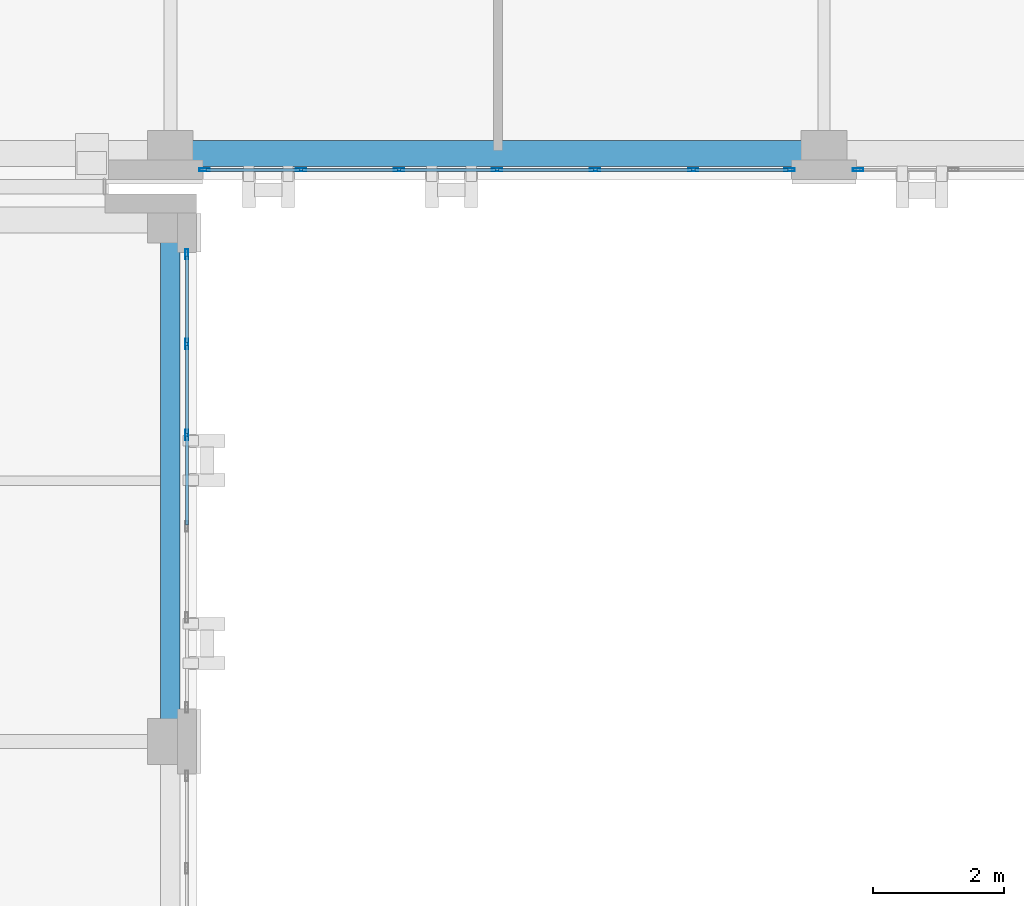
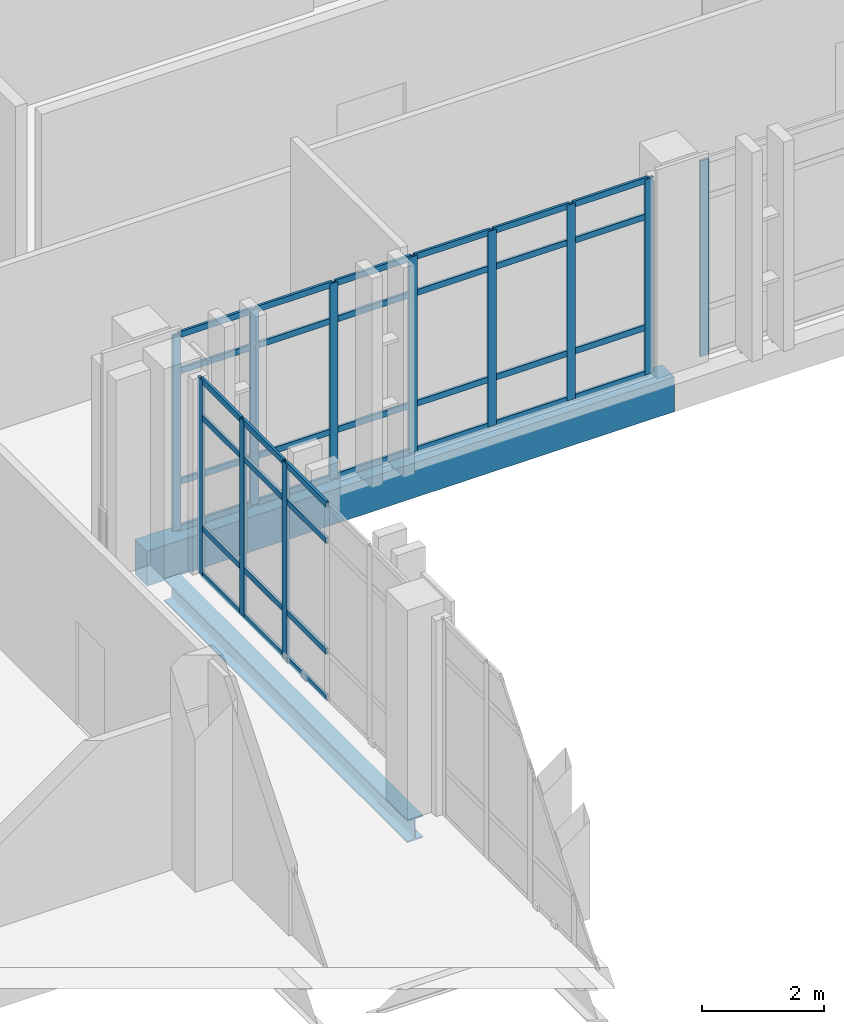
# One storey, part 80 of 165: 47 members, 2 beams, 3 elements without a shape of their own.
"""IFC4 building model written with IfcOpenShell, lengths in metres."""

import ifcopenshell
import ifcopenshell.guid

model = None  # the IFC model being written
_history = None  # IfcOwnerHistory: only IFC2X3 demands one
_inside = {}  # id of a spatial element -> (the spatial element, [elements in it])
_under = {}  # id of a project, library or spatial element -> (it, [spatial elements below it])
_declared = {}  # id of a project -> (the project, [libraries it declares])
_typed = {}  # id of a type object -> (the type object, [elements of that type])
_made_of = {}  # id of a material, layer set ... -> (it, [elements and type objects made of it])


def new_model(schema):
    """Start an empty IFC model of exactly this schema.

    Asked for "IFC4X3", IfcOpenShell would pick the latest addendum, in which some entities
    have other attributes; the version numbers below select the first issue.
    IFC2X3 requires an IfcOwnerHistory on every rooted entity: one is made here for all.
    """
    global model, _history
    if schema == "IFC4X3":
        model = ifcopenshell.file(schema_version=(4, 3, 0, 0))
    else:
        model = ifcopenshell.file(schema=schema)
    _inside.clear()
    _under.clear()
    _declared.clear()
    _typed.clear()
    _made_of.clear()
    _history = None
    if model.schema == "IFC2X3":
        org = make("IfcOrganization", Name="unknown")
        user = make(
            "IfcPersonAndOrganization",
            ThePerson=make("IfcPerson", FamilyName="unknown"),
            TheOrganization=org,
        )
        app = make(
            "IfcApplication",
            ApplicationDeveloper=org,
            Version="unknown",
            ApplicationFullName="unknown",
            ApplicationIdentifier="unknown",
        )
        _history = make(
            "IfcOwnerHistory",
            OwningUser=user,
            OwningApplication=app,
            ChangeAction="ADDED",
            CreationDate=0,
        )
    return model


def make(cls, **values):
    """One entity of the class cls with the attributes given. An attribute that is None is left unset."""
    return model.create_entity(
        cls, **{name: value for name, value in values.items() if value is not None}
    )


def rooted(cls, **values):
    """An entity with a GlobalId (a new one), such as an element, a storey or a relation."""
    return make(cls, GlobalId=ifcopenshell.guid.new(), OwnerHistory=_history, **values)


def si_unit(unit_type, name, prefix=None):
    """IfcSIUnit, for example si_unit("LENGTHUNIT", "METRE", prefix="MILLI")."""
    return make("IfcSIUnit", UnitType=unit_type, Prefix=prefix, Name=name)


def assignment(units):
    """IfcUnitAssignment: the units of a project."""
    return None if units is None else make("IfcUnitAssignment", Units=units)


def point(xyz):
    """IfcCartesianPoint."""
    return None if xyz is None else make("IfcCartesianPoint", Coordinates=xyz)


def direction(xyz):
    """IfcDirection."""
    return None if xyz is None else make("IfcDirection", DirectionRatios=xyz)


def frame(location, z_axis=None, x_axis=None):
    """IfcAxis2Placement3D, a coordinate frame: its origin and axes. An axis left out is left unset."""
    return make(
        "IfcAxis2Placement3D",
        Location=point(location),
        Axis=direction(z_axis),
        RefDirection=direction(x_axis),
    )


def frame_2d(location, x_axis=None):
    """IfcAxis2Placement2D, a coordinate frame in the plane: its origin and x axis."""
    return make(
        "IfcAxis2Placement2D", Location=point(location), RefDirection=direction(x_axis)
    )


def origin():
    """The frame at (0, 0, 0) with its axes left unset."""
    return frame((0.0, 0.0, 0.0))


def origin_2d():
    """The frame at (0, 0) in the plane with its x axis left unset."""
    return frame_2d((0.0, 0.0))


def place(relative_to, where):
    """IfcLocalPlacement: puts the frame where relative to a parent placement (None: the world)."""
    return make(
        "IfcLocalPlacement", PlacementRelTo=relative_to, RelativePlacement=where
    )


def context(
    kind, dimensions, precision=None, world=None, true_north=None, identifier=None
):
    """IfcGeometricRepresentationContext, for example the 3D "Model" context."""
    return make(
        "IfcGeometricRepresentationContext",
        ContextIdentifier=identifier,
        ContextType=kind,
        CoordinateSpaceDimension=dimensions,
        Precision=precision,
        WorldCoordinateSystem=world,
        TrueNorth=true_north,
    )


def subcontext(parent, identifier, kind, view, scale=None):
    """IfcGeometricRepresentationSubContext, for example "Body" below "Model"."""
    return make(
        "IfcGeometricRepresentationSubContext",
        ContextIdentifier=identifier,
        ContextType=kind,
        ParentContext=parent,
        TargetScale=scale,
        TargetView=view,
    )


def project(units=None, contexts=None):
    """IfcProject with its units and contexts."""
    return rooted(
        "IfcProject",
        Name="project",
        RepresentationContexts=contexts,
        UnitsInContext=assignment(units),
    )


def spatial(cls, under=None, at=None, **own):
    """A site, building, storey or space (cls), placed at a placement, below another one or the project."""
    s = rooted(cls, ObjectPlacement=at, **own)
    if under is not None:
        _under.setdefault(under.id(), (under, []))[1].append(s)
    return s


def profile(cls, at=None, kind="AREA", **sizes):
    """A parametric profile (cls). Its sizes go by their IFC names, for example OverallWidth=200.0."""
    return make(cls, ProfileType=kind, Position=at, **sizes)


def rectangle(**sizes):
    """IfcRectangleProfileDef."""
    return profile("IfcRectangleProfileDef", **sizes)


def hollow_rectangle(**sizes):
    """IfcRectangleHollowProfileDef."""
    return profile("IfcRectangleHollowProfileDef", **sizes)


def i_section(**sizes):
    """IfcIShapeProfileDef."""
    return profile("IfcIShapeProfileDef", **sizes)


def extrude(swept, where, along, depth):
    """IfcExtrudedAreaSolid: the profile swept, set in the frame where, extruded along a direction by depth."""
    return make(
        "IfcExtrudedAreaSolid",
        SweptArea=swept,
        Position=where,
        ExtrudedDirection=direction(along),
        Depth=depth,
    )


def shape(context_of_items, identifier, shape_type, items):
    """IfcShapeRepresentation: the items that make up one representation, for example the "Body"."""
    return make(
        "IfcShapeRepresentation",
        ContextOfItems=context_of_items,
        RepresentationIdentifier=identifier,
        RepresentationType=shape_type,
        Items=items,
    )


def material(Name=None, Category=None):
    """IfcMaterial."""
    return make("IfcMaterial", Name=Name, Category=Category)


def layer(
    of_material, thickness, ventilated=None, Name=None, Category=None, Priority=None
):
    """IfcMaterialLayer: one layer of a wall or slab, of a material (None: an air gap)."""
    return make(
        "IfcMaterialLayer",
        Material=of_material,
        LayerThickness=thickness,
        IsVentilated=ventilated,
        Name=Name,
        Category=Category,
        Priority=Priority,
    )


def layer_set(layers, Name=None):
    """IfcMaterialLayerSet."""
    return make("IfcMaterialLayerSet", MaterialLayers=layers, LayerSetName=Name)


def material_profile(
    of_material, cross_section, Name=None, Category=None, Priority=None
):
    """IfcMaterialProfile: a cross section and its material."""
    return make(
        "IfcMaterialProfile",
        Name=Name,
        Material=of_material,
        Profile=cross_section,
        Priority=Priority,
        Category=Category,
    )


def profile_set(profiles, Name=None, composite=None):
    """IfcMaterialProfileSet."""
    return make(
        "IfcMaterialProfileSet",
        Name=Name,
        MaterialProfiles=profiles,
        CompositeProfile=composite,
    )


def made_of(thing, what):
    """Note that an element or type object is made of a material, layer set ...; save() writes the relation."""
    if what is not None:
        _made_of.setdefault(what.id(), (what, []))[1].append(thing)
    return thing


def type_object(cls, material=None, **own):
    """A type object (cls), such as IfcWallType, which elements share."""
    return made_of(rooted(cls, **own), material)


def element(
    cls,
    number,
    at=None,
    inside=None,
    cuts=None,
    type_object=None,
    material=None,
    context=None,
    identifier="Body",
    shape_type=None,
    held_by="IfcProductDefinitionShape",
    body=None,
    shapes=None,
    **own,
):
    """One element of the class cls, such as IfcWall. Its Tag is "e" and its number.

    at: its placement. inside: the storey or other place that contains it. cuts: it is an
    opening in that element (IfcRelVoidsElement). A single representation is given by context,
    identifier, shape_type and body (its items); several are given by shapes. held_by: the class
    of the entity that holds the representations. save() writes the other relations.
    """
    e = rooted(cls, Tag="e%d" % number, ObjectPlacement=at, **own)
    if body is not None:
        shapes = [shape(context, identifier, shape_type, body)]
    if shapes is not None:
        e.Representation = make(held_by, Representations=shapes)
    if inside is not None:
        _inside.setdefault(inside.id(), (inside, []))[1].append(e)
    if cuts is not None:
        rooted(
            "IfcRelVoidsElement", RelatingBuildingElement=cuts, RelatedOpeningElement=e
        )
    if type_object is not None:
        _typed.setdefault(type_object.id(), (type_object, []))[1].append(e)
    return made_of(e, material)


def aggregate(whole, parts):
    """IfcRelAggregates: a whole, such as a stair, and the parts it consists of."""
    return rooted("IfcRelAggregates", RelatingObject=whole, RelatedObjects=parts)


def save(model, path):
    """Write the relations noted so far, then the file.

    IfcRelAggregates (storeys below a building ...), IfcRelContainedInSpatialStructure (elements
    in a storey), IfcRelDefinesByType, IfcRelAssociatesMaterial and IfcRelDeclares: one each for
    every whole, place, type object, material and project.
    """
    for whole, parts in _under.values():
        aggregate(whole, parts)
    for where, things in _inside.values():
        rooted(
            "IfcRelContainedInSpatialStructure",
            RelatedElements=things,
            RelatingStructure=where,
        )
    for kind, things in _typed.values():
        rooted("IfcRelDefinesByType", RelatedObjects=things, RelatingType=kind)
    for what, things in _made_of.values():
        rooted("IfcRelAssociatesMaterial", RelatedObjects=things, RelatingMaterial=what)
    for by, libraries in _declared.values():
        rooted("IfcRelDeclares", RelatingContext=by, RelatedDefinitions=libraries)
    model.write(path)


model = new_model("IFC4")

# Units and contexts
model_context = context("Model", 3, precision=1e-05, world=origin(), true_north=direction((0.0, 1.0)))
body_context = subcontext(model_context, "Body", "Model", "MODEL_VIEW")
ifc_project = project(units=[si_unit("LENGTHUNIT", "METRE"), si_unit("AREAUNIT", "SQUARE_METRE"), si_unit("VOLUMEUNIT", "CUBIC_METRE"), si_unit("PLANEANGLEUNIT", "RADIAN"), si_unit("MASSUNIT", "GRAM", prefix="KILO")], contexts=[model_context])

# Site, building, storey
site_placement = place(None, origin())
site = spatial("IfcSite", under=ifc_project, at=site_placement, CompositionType="ELEMENT")
building_placement = place(site_placement, origin())
building = spatial("IfcBuilding", under=site, at=building_placement, Name="Qalavern Law Courts", CompositionType="ELEMENT")
storey_placement = place(building_placement, frame((0.0, 0.0, 14.39990234375)))
storey = spatial("IfcBuildingStorey", under=building, at=storey_placement, Name="L03", CompositionType="ELEMENT", Elevation=14.39990234375)

# Curtain wall, members
ifc_material_1 = material(Name="Anodised aluminium and insulated glazing", Category="aluminium")
ifc_layer_1 = layer(ifc_material_1, 0.172119140625)
ifc_layer_set_1 = layer_set([ifc_layer_1], Name="Anodised aluminium and insulated glazing")
curtain_wall_type_1 = type_object("IfcCurtainWallType", Name="ENV-CW-COURT", PredefinedType="USERDEFINED", material=ifc_layer_set_1)
curtain_wall_1_placement = place(storey_placement, origin())
curtain_wall_1 = element("IfcCurtainWall", 1, at=curtain_wall_1_placement, inside=storey, type_object=curtain_wall_type_1, Name="V3 unitised curtain wall L03 east 7", ObjectType="UNITISED CURTAIN WALL", PredefinedType="USERDEFINED")
ifc_material_2 = material(Name="Anodised aluminium", Category="aluminium")
ifc_material_profile_1 = material_profile(ifc_material_2, hollow_rectangle(XDim=0.048095703125, YDim=0.159912109375, WallThickness=0.00390625, at=origin_2d()), Name="ALU MULLION 48x160")
ifc_profile_set_1 = profile_set([ifc_material_profile_1], Name="Anodised aluminium")
member_type_1 = type_object("IfcMemberType", Name="ENV-CWM-48x160", PredefinedType="MULLION", material=ifc_profile_set_1)
member_1_placement = place(storey_placement, frame((18.652587890625, 92.2880859375, 0.0), z_axis=(0.0, 0.0, 1.0), x_axis=(-1.0, 0.0, 0.0)))
member_1 = element("IfcMember", 2, at=member_1_placement, type_object=member_type_1, Name="CW-03 mullion 4", PredefinedType="MULLION", context=body_context, shape_type="SweptSolid", body=[
    extrude(hollow_rectangle(XDim=0.048095703125, YDim=0.159912109375, WallThickness=0.00390625, at=origin_2d()), origin(), (0.0, 0.0, 1.0), 3.920166015625),
])
member_2_placement = place(storey_placement, frame((18.652587890625, 93.68408203125, 0.0), z_axis=(0.0, 0.0, 1.0), x_axis=(-1.0, 0.0, 0.0)))
member_2 = element("IfcMember", 3, at=member_2_placement, type_object=member_type_1, Name="CW-03 mullion 5", PredefinedType="MULLION", context=body_context, shape_type="SweptSolid", body=[
    extrude(hollow_rectangle(XDim=0.048095703125, YDim=0.159912109375, WallThickness=0.00390625, at=origin_2d()), origin(), (0.0, 0.0, 1.0), 3.920166015625),
])
member_3_placement = place(storey_placement, frame((18.652587890625, 95.055908203125, 0.0), z_axis=(0.0, 0.0, 1.0), x_axis=(-1.0, 0.0, 0.0)))
member_3 = element("IfcMember", 4, at=member_3_placement, type_object=member_type_1, Name="CW-03 mullion 6", PredefinedType="MULLION", context=body_context, shape_type="SweptSolid", body=[
    extrude(hollow_rectangle(XDim=0.048095703125, YDim=0.159912109375, WallThickness=0.00390625, at=origin_2d()), origin(), (0.0, 0.0, 1.0), 3.920166015625),
])

ifc_layer_2 = layer(ifc_material_1, 0.166015625)
ifc_layer_set_2 = layer_set([ifc_layer_2], Name="Anodised aluminium and insulated glazing")
curtain_wall_type_2 = type_object("IfcCurtainWallType", Name="ENV-CW-LIB", PredefinedType="USERDEFINED", material=ifc_layer_set_2)
curtain_wall_2_placement = place(storey_placement, origin())
curtain_wall_2 = element("IfcCurtainWall", 5, at=curtain_wall_2_placement, inside=storey, type_object=curtain_wall_type_2, Name="V5 unitised curtain wall L03 south 1", ObjectType="UNITISED CURTAIN WALL", PredefinedType="USERDEFINED")
member_4_placement = place(storey_placement, frame((18.924072265625, 96.347412109375, 0.0), z_axis=(0.0, 0.0, 1.0), x_axis=(0.0, 1.0, 0.0)))
member_4 = element("IfcMember", 6, at=member_4_placement, type_object=member_type_1, Name="CW-05 mullion 1", PredefinedType="MULLION", context=body_context, shape_type="SweptSolid", body=[
    extrude(hollow_rectangle(XDim=0.048095703125, YDim=0.159912109375, WallThickness=0.00390625, at=origin_2d()), origin(), (0.0, 0.0, 1.0), 3.920166015625),
])
member_5_placement = place(storey_placement, frame((20.39990234375, 96.347412109375, 0.0), z_axis=(0.0, 0.0, 1.0), x_axis=(0.0, 1.0, 0.0)))
member_5 = element("IfcMember", 7, at=member_5_placement, type_object=member_type_1, Name="CW-05 mullion 2", PredefinedType="MULLION", context=body_context, shape_type="SweptSolid", body=[
    extrude(hollow_rectangle(XDim=0.048095703125, YDim=0.159912109375, WallThickness=0.00390625, at=origin_2d()), origin(), (0.0, 0.0, 1.0), 3.920166015625),
])
member_6_placement = place(storey_placement, frame((21.89990234375, 96.347412109375, 0.0), z_axis=(0.0, 0.0, 1.0), x_axis=(0.0, 1.0, 0.0)))
member_6 = element("IfcMember", 8, at=member_6_placement, type_object=member_type_1, Name="CW-05 mullion 3", PredefinedType="MULLION", context=body_context, shape_type="SweptSolid", body=[
    extrude(hollow_rectangle(XDim=0.048095703125, YDim=0.159912109375, WallThickness=0.00390625, at=origin_2d()), origin(), (0.0, 0.0, 1.0), 3.920166015625),
])
member_7_placement = place(storey_placement, frame((23.39990234375, 96.347412109375, 0.0), z_axis=(0.0, 0.0, 1.0), x_axis=(0.0, 1.0, 0.0)))
member_7 = element("IfcMember", 9, at=member_7_placement, type_object=member_type_1, Name="CW-05 mullion 4", PredefinedType="MULLION", context=body_context, shape_type="SweptSolid", body=[
    extrude(hollow_rectangle(XDim=0.048095703125, YDim=0.159912109375, WallThickness=0.00390625, at=origin_2d()), origin(), (0.0, 0.0, 1.0), 3.920166015625),
])
member_8_placement = place(storey_placement, frame((24.89990234375, 96.347412109375, 0.0), z_axis=(0.0, 0.0, 1.0), x_axis=(0.0, 1.0, 0.0)))
member_8 = element("IfcMember", 10, at=member_8_placement, type_object=member_type_1, Name="CW-05 mullion 5", PredefinedType="MULLION", context=body_context, shape_type="SweptSolid", body=[
    extrude(hollow_rectangle(XDim=0.048095703125, YDim=0.159912109375, WallThickness=0.00390625, at=origin_2d()), origin(), (0.0, 0.0, 1.0), 3.920166015625),
])
member_9_placement = place(storey_placement, frame((26.39990234375, 96.347412109375, 0.0), z_axis=(0.0, 0.0, 1.0), x_axis=(0.0, 1.0, 0.0)))
member_9 = element("IfcMember", 11, at=member_9_placement, type_object=member_type_1, Name="CW-05 mullion 6", PredefinedType="MULLION", context=body_context, shape_type="SweptSolid", body=[
    extrude(hollow_rectangle(XDim=0.048095703125, YDim=0.159912109375, WallThickness=0.00390625, at=origin_2d()), origin(), (0.0, 0.0, 1.0), 3.920166015625),
])
member_10_placement = place(storey_placement, frame((27.8759765625, 96.347412109375, 0.0), z_axis=(0.0, 0.0, 1.0), x_axis=(0.0, 1.0, 0.0)))
member_10 = element("IfcMember", 12, at=member_10_placement, type_object=member_type_1, Name="CW-05 mullion 7", PredefinedType="MULLION", context=body_context, shape_type="SweptSolid", body=[
    extrude(hollow_rectangle(XDim=0.048095703125, YDim=0.159912109375, WallThickness=0.00390625, at=origin_2d()), origin(), (0.0, 0.0, 1.0), 3.920166015625),
])

# Curtain wall, member
curtain_wall_3_placement = place(storey_placement, origin())
curtain_wall_3 = element("IfcCurtainWall", 13, at=curtain_wall_3_placement, inside=storey, type_object=curtain_wall_type_2, Name="V5 unitised curtain wall L03 south 2", ObjectType="UNITISED CURTAIN WALL", PredefinedType="USERDEFINED")
member_11_placement = place(storey_placement, frame((28.924072265625, 96.347412109375, 0.0), z_axis=(0.0, 0.0, 1.0), x_axis=(0.0, 1.0, 0.0)))
member_11 = element("IfcMember", 14, at=member_11_placement, type_object=member_type_1, Name="CW-05 mullion 1", PredefinedType="MULLION", context=body_context, shape_type="SweptSolid", body=[
    extrude(hollow_rectangle(XDim=0.048095703125, YDim=0.159912109375, WallThickness=0.00390625, at=origin_2d()), origin(), (0.0, 0.0, 1.0), 3.920166015625),
])
aggregate(curtain_wall_3, [member_11])

# Member
ifc_material_profile_2 = material_profile(ifc_material_2, hollow_rectangle(XDim=0.048095703125, YDim=0.1201171875, WallThickness=0.00390625, at=origin_2d()), Name="ALU TRANSOM 48x120")
ifc_profile_set_2 = profile_set([ifc_material_profile_2], Name="Anodised aluminium")
member_type_2 = type_object("IfcMemberType", Name="ENV-CWT-48x120", PredefinedType="USERDEFINED", material=ifc_profile_set_2)
member_12_placement = place(storey_placement, frame((18.652587890625, 90.916015625, 0.024169921875), z_axis=(0.0, 1.0, 0.0), x_axis=(-1.0, 0.0, 0.0)))
member_12 = element("IfcMember", 15, at=member_12_placement, type_object=member_type_2, Name="CW-03 transom 3.1", ObjectType="TRANSOM", PredefinedType="USERDEFINED", context=body_context, shape_type="SweptSolid", body=[
    extrude(hollow_rectangle(XDim=0.048095703125, YDim=0.1201171875, WallThickness=0.00390625, at=origin_2d()), origin(), (0.0, 0.0, 1.0), 1.347900390625),
])

member_13_placement = place(storey_placement, frame((18.652587890625, 90.916015625, 0.9501953125), z_axis=(0.0, 1.0, 0.0), x_axis=(-1.0, 0.0, 0.0)))
member_13 = element("IfcMember", 16, at=member_13_placement, type_object=member_type_2, Name="CW-03 transom 3.2", ObjectType="TRANSOM", PredefinedType="USERDEFINED", context=body_context, shape_type="SweptSolid", body=[
    extrude(hollow_rectangle(XDim=0.048095703125, YDim=0.1201171875, WallThickness=0.00390625, at=origin_2d()), origin(), (0.0, 0.0, 1.0), 1.347900390625),
])

member_14_placement = place(storey_placement, frame((18.652587890625, 90.916015625, 3.170166015625), z_axis=(0.0, 1.0, 0.0), x_axis=(-1.0, 0.0, 0.0)))
member_14 = element("IfcMember", 17, at=member_14_placement, type_object=member_type_2, Name="CW-03 transom 3.3", ObjectType="TRANSOM", PredefinedType="USERDEFINED", context=body_context, shape_type="SweptSolid", body=[
    extrude(hollow_rectangle(XDim=0.048095703125, YDim=0.1201171875, WallThickness=0.00390625, at=origin_2d()), origin(), (0.0, 0.0, 1.0), 1.347900390625),
])

member_15_placement = place(storey_placement, frame((18.652587890625, 90.916015625, 3.89599609375), z_axis=(0.0, 1.0, 0.0), x_axis=(-1.0, 0.0, 0.0)))
member_15 = element("IfcMember", 18, at=member_15_placement, type_object=member_type_2, Name="CW-03 transom 3.4", ObjectType="TRANSOM", PredefinedType="USERDEFINED", context=body_context, shape_type="SweptSolid", body=[
    extrude(hollow_rectangle(XDim=0.048095703125, YDim=0.1201171875, WallThickness=0.00390625, at=origin_2d()), origin(), (0.0, 0.0, 1.0), 1.347900390625),
])

member_16_placement = place(storey_placement, frame((18.652587890625, 92.31201171875, 0.024169921875), z_axis=(0.0, 1.0, 0.0), x_axis=(-1.0, 0.0, 0.0)))
member_16 = element("IfcMember", 19, at=member_16_placement, type_object=member_type_2, Name="CW-03 transom 4.1", ObjectType="TRANSOM", PredefinedType="USERDEFINED", context=body_context, shape_type="SweptSolid", body=[
    extrude(hollow_rectangle(XDim=0.048095703125, YDim=0.1201171875, WallThickness=0.00390625, at=origin_2d()), origin(), (0.0, 0.0, 1.0), 1.347900390625),
])

member_17_placement = place(storey_placement, frame((18.652587890625, 92.31201171875, 0.9501953125), z_axis=(0.0, 1.0, 0.0), x_axis=(-1.0, 0.0, 0.0)))
member_17 = element("IfcMember", 20, at=member_17_placement, type_object=member_type_2, Name="CW-03 transom 4.2", ObjectType="TRANSOM", PredefinedType="USERDEFINED", context=body_context, shape_type="SweptSolid", body=[
    extrude(hollow_rectangle(XDim=0.048095703125, YDim=0.1201171875, WallThickness=0.00390625, at=origin_2d()), origin(), (0.0, 0.0, 1.0), 1.347900390625),
])

member_18_placement = place(storey_placement, frame((18.652587890625, 92.31201171875, 3.170166015625), z_axis=(0.0, 1.0, 0.0), x_axis=(-1.0, 0.0, 0.0)))
member_18 = element("IfcMember", 21, at=member_18_placement, type_object=member_type_2, Name="CW-03 transom 4.3", ObjectType="TRANSOM", PredefinedType="USERDEFINED", context=body_context, shape_type="SweptSolid", body=[
    extrude(hollow_rectangle(XDim=0.048095703125, YDim=0.1201171875, WallThickness=0.00390625, at=origin_2d()), origin(), (0.0, 0.0, 1.0), 1.347900390625),
])

member_19_placement = place(storey_placement, frame((18.652587890625, 92.31201171875, 3.89599609375), z_axis=(0.0, 1.0, 0.0), x_axis=(-1.0, 0.0, 0.0)))
member_19 = element("IfcMember", 22, at=member_19_placement, type_object=member_type_2, Name="CW-03 transom 4.4", ObjectType="TRANSOM", PredefinedType="USERDEFINED", context=body_context, shape_type="SweptSolid", body=[
    extrude(hollow_rectangle(XDim=0.048095703125, YDim=0.1201171875, WallThickness=0.00390625, at=origin_2d()), origin(), (0.0, 0.0, 1.0), 1.347900390625),
])

member_20_placement = place(storey_placement, frame((18.652587890625, 93.7080078125, 0.024169921875), z_axis=(0.0, 1.0, 0.0), x_axis=(-1.0, 0.0, 0.0)))
member_20 = element("IfcMember", 23, at=member_20_placement, type_object=member_type_2, Name="CW-03 transom 5.1", ObjectType="TRANSOM", PredefinedType="USERDEFINED", context=body_context, shape_type="SweptSolid", body=[
    extrude(hollow_rectangle(XDim=0.048095703125, YDim=0.1201171875, WallThickness=0.00390625, at=origin_2d()), origin(), (0.0, 0.0, 1.0), 1.323974609375),
])

member_21_placement = place(storey_placement, frame((18.652587890625, 93.7080078125, 0.9501953125), z_axis=(0.0, 1.0, 0.0), x_axis=(-1.0, 0.0, 0.0)))
member_21 = element("IfcMember", 24, at=member_21_placement, type_object=member_type_2, Name="CW-03 transom 5.2", ObjectType="TRANSOM", PredefinedType="USERDEFINED", context=body_context, shape_type="SweptSolid", body=[
    extrude(hollow_rectangle(XDim=0.048095703125, YDim=0.1201171875, WallThickness=0.00390625, at=origin_2d()), origin(), (0.0, 0.0, 1.0), 1.323974609375),
])

member_22_placement = place(storey_placement, frame((18.652587890625, 93.7080078125, 3.170166015625), z_axis=(0.0, 1.0, 0.0), x_axis=(-1.0, 0.0, 0.0)))
member_22 = element("IfcMember", 25, at=member_22_placement, type_object=member_type_2, Name="CW-03 transom 5.3", ObjectType="TRANSOM", PredefinedType="USERDEFINED", context=body_context, shape_type="SweptSolid", body=[
    extrude(hollow_rectangle(XDim=0.048095703125, YDim=0.1201171875, WallThickness=0.00390625, at=origin_2d()), origin(), (0.0, 0.0, 1.0), 1.323974609375),
])

member_23_placement = place(storey_placement, frame((18.652587890625, 93.7080078125, 3.89599609375), z_axis=(0.0, 1.0, 0.0), x_axis=(-1.0, 0.0, 0.0)))
member_23 = element("IfcMember", 26, at=member_23_placement, type_object=member_type_2, Name="CW-03 transom 5.4", ObjectType="TRANSOM", PredefinedType="USERDEFINED", context=body_context, shape_type="SweptSolid", body=[
    extrude(hollow_rectangle(XDim=0.048095703125, YDim=0.1201171875, WallThickness=0.00390625, at=origin_2d()), origin(), (0.0, 0.0, 1.0), 1.323974609375),
])

aggregate(curtain_wall_1, [member_1, member_2, member_3, member_12, member_13, member_14, member_15, member_16, member_17, member_18, member_19, member_20, member_21, member_22, member_23])

member_24_placement = place(storey_placement, frame((18.947998046875, 96.347412109375, 0.024169921875), z_axis=(1.0, 0.0, 0.0), x_axis=(0.0, 1.0, 0.0)))
member_24 = element("IfcMember", 27, at=member_24_placement, type_object=member_type_2, Name="CW-05 transom 1.1", ObjectType="TRANSOM", PredefinedType="USERDEFINED", context=body_context, shape_type="SweptSolid", body=[
    extrude(hollow_rectangle(XDim=0.048095703125, YDim=0.1201171875, WallThickness=0.00390625, at=origin_2d()), origin(), (0.0, 0.0, 1.0), 1.427978515625),
])

member_25_placement = place(storey_placement, frame((18.947998046875, 96.347412109375, 0.9501953125), z_axis=(1.0, 0.0, 0.0), x_axis=(0.0, 1.0, 0.0)))
member_25 = element("IfcMember", 28, at=member_25_placement, type_object=member_type_2, Name="CW-05 transom 1.2", ObjectType="TRANSOM", PredefinedType="USERDEFINED", context=body_context, shape_type="SweptSolid", body=[
    extrude(hollow_rectangle(XDim=0.048095703125, YDim=0.1201171875, WallThickness=0.00390625, at=origin_2d()), origin(), (0.0, 0.0, 1.0), 1.427978515625),
])

member_26_placement = place(storey_placement, frame((18.947998046875, 96.347412109375, 3.170166015625), z_axis=(1.0, 0.0, 0.0), x_axis=(0.0, 1.0, 0.0)))
member_26 = element("IfcMember", 29, at=member_26_placement, type_object=member_type_2, Name="CW-05 transom 1.3", ObjectType="TRANSOM", PredefinedType="USERDEFINED", context=body_context, shape_type="SweptSolid", body=[
    extrude(hollow_rectangle(XDim=0.048095703125, YDim=0.1201171875, WallThickness=0.00390625, at=origin_2d()), origin(), (0.0, 0.0, 1.0), 1.427978515625),
])

member_27_placement = place(storey_placement, frame((18.947998046875, 96.347412109375, 3.89599609375), z_axis=(1.0, 0.0, 0.0), x_axis=(0.0, 1.0, 0.0)))
member_27 = element("IfcMember", 30, at=member_27_placement, type_object=member_type_2, Name="CW-05 transom 1.4", ObjectType="TRANSOM", PredefinedType="USERDEFINED", context=body_context, shape_type="SweptSolid", body=[
    extrude(hollow_rectangle(XDim=0.048095703125, YDim=0.1201171875, WallThickness=0.00390625, at=origin_2d()), origin(), (0.0, 0.0, 1.0), 1.427978515625),
])

member_28_placement = place(storey_placement, frame((20.424072265625, 96.347412109375, 0.024169921875), z_axis=(1.0, 0.0, 0.0), x_axis=(0.0, 1.0, 0.0)))
member_28 = element("IfcMember", 31, at=member_28_placement, type_object=member_type_2, Name="CW-05 transom 2.1", ObjectType="TRANSOM", PredefinedType="USERDEFINED", context=body_context, shape_type="SweptSolid", body=[
    extrude(hollow_rectangle(XDim=0.048095703125, YDim=0.1201171875, WallThickness=0.00390625, at=origin_2d()), origin(), (0.0, 0.0, 1.0), 1.451904296875),
])

member_29_placement = place(storey_placement, frame((20.424072265625, 96.347412109375, 0.9501953125), z_axis=(1.0, 0.0, 0.0), x_axis=(0.0, 1.0, 0.0)))
member_29 = element("IfcMember", 32, at=member_29_placement, type_object=member_type_2, Name="CW-05 transom 2.2", ObjectType="TRANSOM", PredefinedType="USERDEFINED", context=body_context, shape_type="SweptSolid", body=[
    extrude(hollow_rectangle(XDim=0.048095703125, YDim=0.1201171875, WallThickness=0.00390625, at=origin_2d()), origin(), (0.0, 0.0, 1.0), 1.451904296875),
])

member_30_placement = place(storey_placement, frame((20.424072265625, 96.347412109375, 3.170166015625), z_axis=(1.0, 0.0, 0.0), x_axis=(0.0, 1.0, 0.0)))
member_30 = element("IfcMember", 33, at=member_30_placement, type_object=member_type_2, Name="CW-05 transom 2.3", ObjectType="TRANSOM", PredefinedType="USERDEFINED", context=body_context, shape_type="SweptSolid", body=[
    extrude(hollow_rectangle(XDim=0.048095703125, YDim=0.1201171875, WallThickness=0.00390625, at=origin_2d()), origin(), (0.0, 0.0, 1.0), 1.451904296875),
])

member_31_placement = place(storey_placement, frame((20.424072265625, 96.347412109375, 3.89599609375), z_axis=(1.0, 0.0, 0.0), x_axis=(0.0, 1.0, 0.0)))
member_31 = element("IfcMember", 34, at=member_31_placement, type_object=member_type_2, Name="CW-05 transom 2.4", ObjectType="TRANSOM", PredefinedType="USERDEFINED", context=body_context, shape_type="SweptSolid", body=[
    extrude(hollow_rectangle(XDim=0.048095703125, YDim=0.1201171875, WallThickness=0.00390625, at=origin_2d()), origin(), (0.0, 0.0, 1.0), 1.451904296875),
])

member_32_placement = place(storey_placement, frame((21.924072265625, 96.347412109375, 0.024169921875), z_axis=(1.0, 0.0, 0.0), x_axis=(0.0, 1.0, 0.0)))
member_32 = element("IfcMember", 35, at=member_32_placement, type_object=member_type_2, Name="CW-05 transom 3.1", ObjectType="TRANSOM", PredefinedType="USERDEFINED", context=body_context, shape_type="SweptSolid", body=[
    extrude(hollow_rectangle(XDim=0.048095703125, YDim=0.1201171875, WallThickness=0.00390625, at=origin_2d()), origin(), (0.0, 0.0, 1.0), 1.451904296875),
])

member_33_placement = place(storey_placement, frame((21.924072265625, 96.347412109375, 0.9501953125), z_axis=(1.0, 0.0, 0.0), x_axis=(0.0, 1.0, 0.0)))
member_33 = element("IfcMember", 36, at=member_33_placement, type_object=member_type_2, Name="CW-05 transom 3.2", ObjectType="TRANSOM", PredefinedType="USERDEFINED", context=body_context, shape_type="SweptSolid", body=[
    extrude(hollow_rectangle(XDim=0.048095703125, YDim=0.1201171875, WallThickness=0.00390625, at=origin_2d()), origin(), (0.0, 0.0, 1.0), 1.451904296875),
])

member_34_placement = place(storey_placement, frame((21.924072265625, 96.347412109375, 3.170166015625), z_axis=(1.0, 0.0, 0.0), x_axis=(0.0, 1.0, 0.0)))
member_34 = element("IfcMember", 37, at=member_34_placement, type_object=member_type_2, Name="CW-05 transom 3.3", ObjectType="TRANSOM", PredefinedType="USERDEFINED", context=body_context, shape_type="SweptSolid", body=[
    extrude(hollow_rectangle(XDim=0.048095703125, YDim=0.1201171875, WallThickness=0.00390625, at=origin_2d()), origin(), (0.0, 0.0, 1.0), 1.451904296875),
])

member_35_placement = place(storey_placement, frame((21.924072265625, 96.347412109375, 3.89599609375), z_axis=(1.0, 0.0, 0.0), x_axis=(0.0, 1.0, 0.0)))
member_35 = element("IfcMember", 38, at=member_35_placement, type_object=member_type_2, Name="CW-05 transom 3.4", ObjectType="TRANSOM", PredefinedType="USERDEFINED", context=body_context, shape_type="SweptSolid", body=[
    extrude(hollow_rectangle(XDim=0.048095703125, YDim=0.1201171875, WallThickness=0.00390625, at=origin_2d()), origin(), (0.0, 0.0, 1.0), 1.451904296875),
])

member_36_placement = place(storey_placement, frame((23.424072265625, 96.347412109375, 0.024169921875), z_axis=(1.0, 0.0, 0.0), x_axis=(0.0, 1.0, 0.0)))
member_36 = element("IfcMember", 39, at=member_36_placement, type_object=member_type_2, Name="CW-05 transom 4.1", ObjectType="TRANSOM", PredefinedType="USERDEFINED", context=body_context, shape_type="SweptSolid", body=[
    extrude(hollow_rectangle(XDim=0.048095703125, YDim=0.1201171875, WallThickness=0.00390625, at=origin_2d()), origin(), (0.0, 0.0, 1.0), 1.451904296875),
])

member_37_placement = place(storey_placement, frame((23.424072265625, 96.347412109375, 0.9501953125), z_axis=(1.0, 0.0, 0.0), x_axis=(0.0, 1.0, 0.0)))
member_37 = element("IfcMember", 40, at=member_37_placement, type_object=member_type_2, Name="CW-05 transom 4.2", ObjectType="TRANSOM", PredefinedType="USERDEFINED", context=body_context, shape_type="SweptSolid", body=[
    extrude(hollow_rectangle(XDim=0.048095703125, YDim=0.1201171875, WallThickness=0.00390625, at=origin_2d()), origin(), (0.0, 0.0, 1.0), 1.451904296875),
])

member_38_placement = place(storey_placement, frame((23.424072265625, 96.347412109375, 3.170166015625), z_axis=(1.0, 0.0, 0.0), x_axis=(0.0, 1.0, 0.0)))
member_38 = element("IfcMember", 41, at=member_38_placement, type_object=member_type_2, Name="CW-05 transom 4.3", ObjectType="TRANSOM", PredefinedType="USERDEFINED", context=body_context, shape_type="SweptSolid", body=[
    extrude(hollow_rectangle(XDim=0.048095703125, YDim=0.1201171875, WallThickness=0.00390625, at=origin_2d()), origin(), (0.0, 0.0, 1.0), 1.451904296875),
])

member_39_placement = place(storey_placement, frame((23.424072265625, 96.347412109375, 3.89599609375), z_axis=(1.0, 0.0, 0.0), x_axis=(0.0, 1.0, 0.0)))
member_39 = element("IfcMember", 42, at=member_39_placement, type_object=member_type_2, Name="CW-05 transom 4.4", ObjectType="TRANSOM", PredefinedType="USERDEFINED", context=body_context, shape_type="SweptSolid", body=[
    extrude(hollow_rectangle(XDim=0.048095703125, YDim=0.1201171875, WallThickness=0.00390625, at=origin_2d()), origin(), (0.0, 0.0, 1.0), 1.451904296875),
])

member_40_placement = place(storey_placement, frame((24.924072265625, 96.347412109375, 0.024169921875), z_axis=(1.0, 0.0, 0.0), x_axis=(0.0, 1.0, 0.0)))
member_40 = element("IfcMember", 43, at=member_40_placement, type_object=member_type_2, Name="CW-05 transom 5.1", ObjectType="TRANSOM", PredefinedType="USERDEFINED", context=body_context, shape_type="SweptSolid", body=[
    extrude(hollow_rectangle(XDim=0.048095703125, YDim=0.1201171875, WallThickness=0.00390625, at=origin_2d()), origin(), (0.0, 0.0, 1.0), 1.451904296875),
])

member_41_placement = place(storey_placement, frame((24.924072265625, 96.347412109375, 0.9501953125), z_axis=(1.0, 0.0, 0.0), x_axis=(0.0, 1.0, 0.0)))
member_41 = element("IfcMember", 44, at=member_41_placement, type_object=member_type_2, Name="CW-05 transom 5.2", ObjectType="TRANSOM", PredefinedType="USERDEFINED", context=body_context, shape_type="SweptSolid", body=[
    extrude(hollow_rectangle(XDim=0.048095703125, YDim=0.1201171875, WallThickness=0.00390625, at=origin_2d()), origin(), (0.0, 0.0, 1.0), 1.451904296875),
])

member_42_placement = place(storey_placement, frame((24.924072265625, 96.347412109375, 3.170166015625), z_axis=(1.0, 0.0, 0.0), x_axis=(0.0, 1.0, 0.0)))
member_42 = element("IfcMember", 45, at=member_42_placement, type_object=member_type_2, Name="CW-05 transom 5.3", ObjectType="TRANSOM", PredefinedType="USERDEFINED", context=body_context, shape_type="SweptSolid", body=[
    extrude(hollow_rectangle(XDim=0.048095703125, YDim=0.1201171875, WallThickness=0.00390625, at=origin_2d()), origin(), (0.0, 0.0, 1.0), 1.451904296875),
])

member_43_placement = place(storey_placement, frame((24.924072265625, 96.347412109375, 3.89599609375), z_axis=(1.0, 0.0, 0.0), x_axis=(0.0, 1.0, 0.0)))
member_43 = element("IfcMember", 46, at=member_43_placement, type_object=member_type_2, Name="CW-05 transom 5.4", ObjectType="TRANSOM", PredefinedType="USERDEFINED", context=body_context, shape_type="SweptSolid", body=[
    extrude(hollow_rectangle(XDim=0.048095703125, YDim=0.1201171875, WallThickness=0.00390625, at=origin_2d()), origin(), (0.0, 0.0, 1.0), 1.451904296875),
])

member_44_placement = place(storey_placement, frame((26.424072265625, 96.347412109375, 0.024169921875), z_axis=(1.0, 0.0, 0.0), x_axis=(0.0, 1.0, 0.0)))
member_44 = element("IfcMember", 47, at=member_44_placement, type_object=member_type_2, Name="CW-05 transom 6.1", ObjectType="TRANSOM", PredefinedType="USERDEFINED", context=body_context, shape_type="SweptSolid", body=[
    extrude(hollow_rectangle(XDim=0.048095703125, YDim=0.1201171875, WallThickness=0.00390625, at=origin_2d()), origin(), (0.0, 0.0, 1.0), 1.427978515625),
])

member_45_placement = place(storey_placement, frame((26.424072265625, 96.347412109375, 0.9501953125), z_axis=(1.0, 0.0, 0.0), x_axis=(0.0, 1.0, 0.0)))
member_45 = element("IfcMember", 48, at=member_45_placement, type_object=member_type_2, Name="CW-05 transom 6.2", ObjectType="TRANSOM", PredefinedType="USERDEFINED", context=body_context, shape_type="SweptSolid", body=[
    extrude(hollow_rectangle(XDim=0.048095703125, YDim=0.1201171875, WallThickness=0.00390625, at=origin_2d()), origin(), (0.0, 0.0, 1.0), 1.427978515625),
])

member_46_placement = place(storey_placement, frame((26.424072265625, 96.347412109375, 3.170166015625), z_axis=(1.0, 0.0, 0.0), x_axis=(0.0, 1.0, 0.0)))
member_46 = element("IfcMember", 49, at=member_46_placement, type_object=member_type_2, Name="CW-05 transom 6.3", ObjectType="TRANSOM", PredefinedType="USERDEFINED", context=body_context, shape_type="SweptSolid", body=[
    extrude(hollow_rectangle(XDim=0.048095703125, YDim=0.1201171875, WallThickness=0.00390625, at=origin_2d()), origin(), (0.0, 0.0, 1.0), 1.427978515625),
])

member_47_placement = place(storey_placement, frame((26.424072265625, 96.347412109375, 3.89599609375), z_axis=(1.0, 0.0, 0.0), x_axis=(0.0, 1.0, 0.0)))
member_47 = element("IfcMember", 50, at=member_47_placement, type_object=member_type_2, Name="CW-05 transom 6.4", ObjectType="TRANSOM", PredefinedType="USERDEFINED", context=body_context, shape_type="SweptSolid", body=[
    extrude(hollow_rectangle(XDim=0.048095703125, YDim=0.1201171875, WallThickness=0.00390625, at=origin_2d()), origin(), (0.0, 0.0, 1.0), 1.427978515625),
])

aggregate(curtain_wall_2, [member_4, member_5, member_6, member_7, member_8, member_9, member_10, member_24, member_25, member_26, member_27, member_28, member_29, member_30, member_31, member_32, member_33, member_34, member_35, member_36, member_37, member_38, member_39, member_40, member_41, member_42, member_43, member_44, member_45, member_46, member_47])

# Beams
ifc_material_3 = material(Name="Steel S355", Category="steel")
ifc_material_profile_3 = material_profile(ifc_material_3, i_section(OverallWidth=0.300048828125, OverallDepth=0.449951171875, WebThickness=0.013916015625, FlangeThickness=0.02587890625, FilletRadius=0.027099609375, at=origin_2d()), Name="HEB 450")
ifc_profile_set_3 = profile_set([ifc_material_profile_3], Name="Steel S355")
beam_type_1 = type_object("IfcBeamType", Name="STR-SP-HEB450", PredefinedType="SPANDREL", material=ifc_profile_set_3)
beam_1_placement = place(storey_placement, frame((18.39990234375, 87.60009765625, -0.510009765625), z_axis=(0.0, 1.0, 0.0), x_axis=(-1.0, 0.0, 0.0)))
element("IfcBeam", 51, at=beam_1_placement, inside=storey, type_object=beam_type_1, Name="V3 Y-beam 3-7 L03", PredefinedType="SPANDREL", context=body_context, shape_type="SweptSolid", body=[
    extrude(i_section(OverallWidth=0.300048828125, OverallDepth=0.449951171875, WebThickness=0.013916015625, FlangeThickness=0.02587890625, FilletRadius=0.027099609375, at=origin_2d()), origin(), (0.0, 0.0, 1.0), 7.97998046875),
])
ifc_material_4 = material(Name="Concrete C40/50", Category="concrete")
ifc_material_profile_4 = material_profile(ifc_material_4, rectangle(XDim=0.39990234375, YDim=0.699951171875, at=origin_2d()), Name="RC 400x700")
ifc_profile_set_4 = profile_set([ifc_material_profile_4], Name="Concrete C40/50")
beam_type_2 = type_object("IfcBeamType", Name="STR-SP-RC400x700", PredefinedType="SPANDREL", material=ifc_profile_set_4)
beam_2_placement = place(storey_placement, frame((18.39990234375, 96.60009765625, -0.635009765625), z_axis=(1.0, 0.0, 0.0), x_axis=(0.0, 1.0, 0.0)))
element("IfcBeam", 52, at=beam_2_placement, inside=storey, type_object=beam_type_2, Name="V5 X-beam 1-3 L03", PredefinedType="SPANDREL", context=body_context, shape_type="SweptSolid", body=[
    extrude(rectangle(XDim=0.39990234375, YDim=0.699951171875, at=origin_2d()), origin(), (0.0, 0.0, 1.0), 10.0),
])

save(model, "model.ifc")
